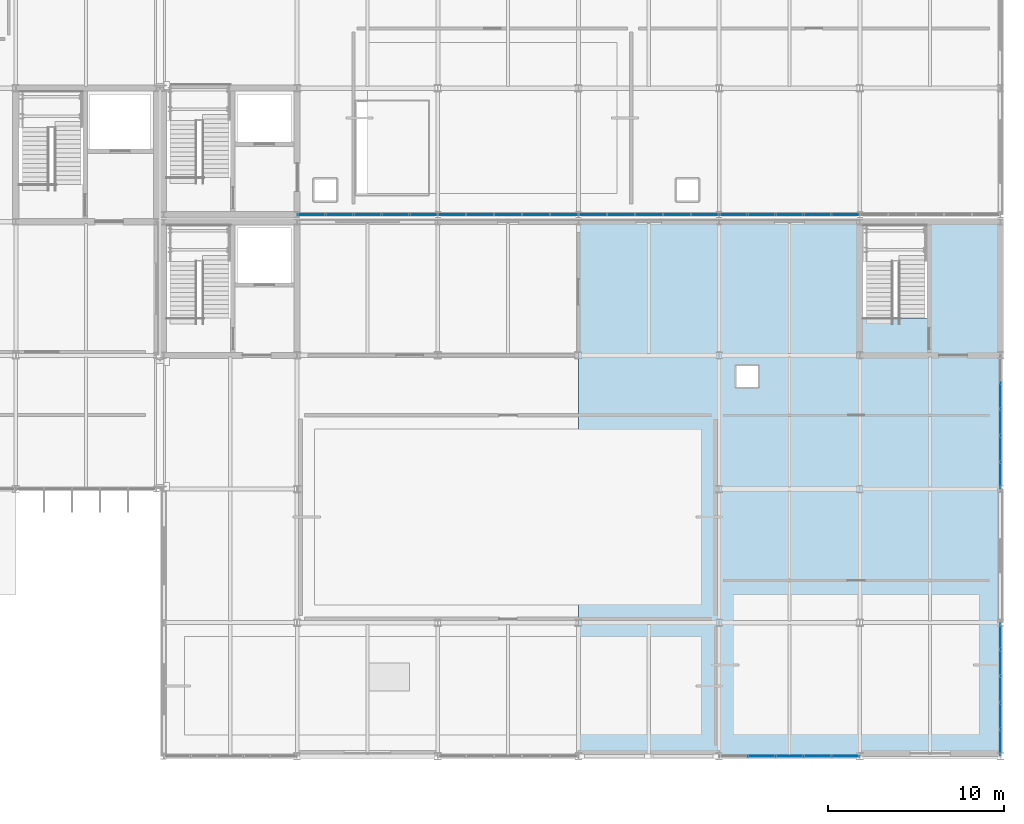
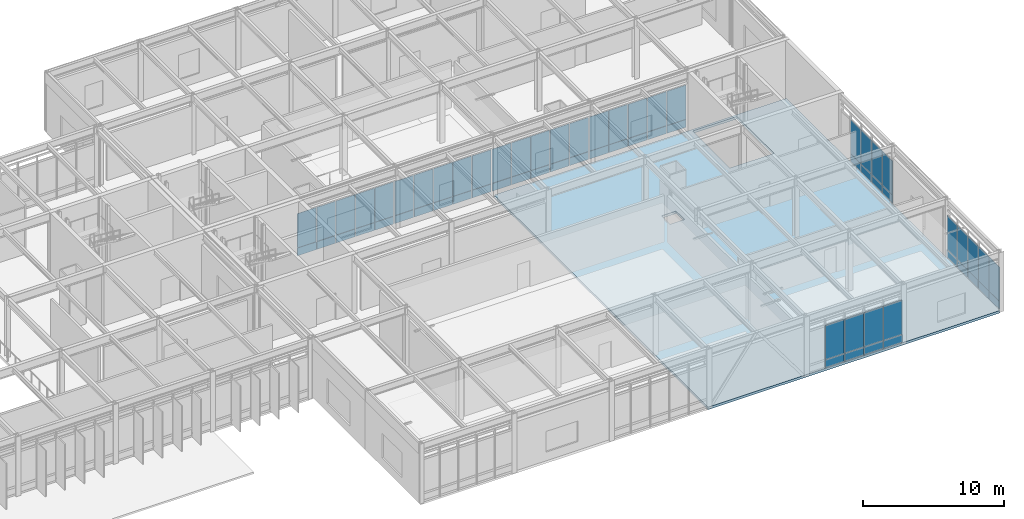
# One storey, part 66 of 94: 66 plates, 1 slab, 7 elements without a shape of their own.
"""IFC4 building model written with IfcOpenShell, lengths in metres."""

from ifc_helpers import new_model, si_unit, direction, frame, origin, origin_2d, place, context, subcontext, project, spatial, polyline, rectangle, outline, extrude, material, layer, layer_set, type_object, element, aggregate, save


model = new_model("IFC4")

# Units and contexts
model_context = context("Model", 3, precision=1e-05, world=origin(), true_north=direction((0.0, 1.0)))
body_context = subcontext(model_context, "Body", "Model", "MODEL_VIEW")
ifc_project = project(units=[si_unit("LENGTHUNIT", "METRE"), si_unit("AREAUNIT", "SQUARE_METRE"), si_unit("VOLUMEUNIT", "CUBIC_METRE"), si_unit("PLANEANGLEUNIT", "RADIAN"), si_unit("MASSUNIT", "GRAM", prefix="KILO")], contexts=[model_context])

# Site, building, storey
site_placement = place(None, origin())
site = spatial("IfcSite", under=ifc_project, at=site_placement, CompositionType="ELEMENT")
building_placement = place(site_placement, origin())
building = spatial("IfcBuilding", under=site, at=building_placement, Name="Zulena Civic Courthouse", CompositionType="ELEMENT")
storey_placement = place(building_placement, frame((0.0, 0.0, 5.39990234375)))
storey = spatial("IfcBuildingStorey", under=building, at=storey_placement, Name="L01", CompositionType="ELEMENT", Elevation=5.39990234375)

# Curtain wall, plates
ifc_material_1 = material(Name="Double-silver low-E laminated solar-control glass", Category="glass")
curtain_wall_type_1 = type_object("IfcCurtainWallType", Name="CW_7552x4280", PredefinedType="USERDEFINED", material=ifc_material_1)
curtain_wall_1_placement = place(storey_placement, origin())
curtain_wall_1 = element("IfcCurtainWall", 1, at=curtain_wall_1_placement, inside=storey, type_object=curtain_wall_type_1, Name="cw:V1:L01:2:1", ObjectType="UNITISED CURTAIN WALL", PredefinedType="USERDEFINED")
ifc_material_2 = material(Name="Ceramic-fritted insulated spandrel glass", Category="glass")
ifc_layer_1 = layer(ifc_material_2, 0.0458984375)
ifc_layer_set_1 = layer_set([ifc_layer_1], Name="Ceramic-fritted insulated spandrel glass")
plate_type_1 = type_object("IfcPlateType", Name="CWPanel_Spandrel_46", PredefinedType="CURTAIN_PANEL", material=ifc_layer_set_1)
plate_1_placement = place(storey_placement, frame((172.0, 20.510498046875, 0.070068359375), z_axis=(0.0, 0.0, 1.0), x_axis=(0.0, -1.0, 0.0)))
plate_1 = element("IfcPlate", 2, at=plate_1_placement, type_object=plate_type_1, Name="cw:V1:L01:2:1:panS:1", PredefinedType="CURTAIN_PANEL", context=body_context, shape_type="SweptSolid", body=[
    extrude(rectangle(XDim=1.4599609375, YDim=0.0458984375, at=origin_2d()), origin(), (0.0, 0.0, 1.0), 0.669921875),
])
plate_2_placement = place(storey_placement, frame((172.0, 19.0, 0.070068359375), z_axis=(0.0, 0.0, 1.0), x_axis=(0.0, -1.0, 0.0)))
plate_2 = element("IfcPlate", 3, at=plate_2_placement, type_object=plate_type_1, Name="cw:V1:L01:2:1:panS:2", PredefinedType="CURTAIN_PANEL", context=body_context, shape_type="SweptSolid", body=[
    extrude(rectangle(XDim=1.4599609375, YDim=0.0458984375, at=origin_2d()), origin(), (0.0, 0.0, 1.0), 0.669921875),
])
plate_3_placement = place(storey_placement, frame((172.0, 17.489501953125, 0.070068359375), z_axis=(0.0, 0.0, 1.0), x_axis=(0.0, -1.0, 0.0)))
plate_3 = element("IfcPlate", 4, at=plate_3_placement, type_object=plate_type_1, Name="cw:V1:L01:2:1:panS:3", PredefinedType="CURTAIN_PANEL", context=body_context, shape_type="SweptSolid", body=[
    extrude(rectangle(XDim=1.4599609375, YDim=0.0458984375, at=origin_2d()), origin(), (0.0, 0.0, 1.0), 0.669921875),
])
plate_4_placement = place(storey_placement, frame((172.0, 15.979248046875, 0.070068359375), z_axis=(0.0, 0.0, 1.0), x_axis=(0.0, -1.0, 0.0)))
plate_4 = element("IfcPlate", 5, at=plate_4_placement, type_object=plate_type_1, Name="cw:V1:L01:2:1:panS:4", PredefinedType="CURTAIN_PANEL", context=body_context, shape_type="SweptSolid", body=[
    extrude(rectangle(XDim=1.4599609375, YDim=0.0458984375, at=origin_2d()), origin(), (0.0, 0.0, 1.0), 0.669921875),
])

curtain_wall_2_placement = place(storey_placement, origin())
curtain_wall_2 = element("IfcCurtainWall", 6, at=curtain_wall_2_placement, inside=storey, type_object=curtain_wall_type_1, Name="cw:V1:L01:2:3", ObjectType="UNITISED CURTAIN WALL", PredefinedType="USERDEFINED")
plate_5_placement = place(storey_placement, frame((172.0, 6.82080078125, 0.070068359375), z_axis=(0.0, 0.0, 1.0), x_axis=(0.0, -1.0, 0.0)))
plate_5 = element("IfcPlate", 7, at=plate_5_placement, type_object=plate_type_1, Name="cw:V1:L01:2:3:panS:0", PredefinedType="CURTAIN_PANEL", context=body_context, shape_type="SweptSolid", body=[
    extrude(rectangle(XDim=1.4599609375, YDim=0.0458984375, at=origin_2d()), origin(), (0.0, 0.0, 1.0), 0.669921875),
])
plate_6_placement = place(storey_placement, frame((172.0, 5.310302734375, 0.070068359375), z_axis=(0.0, 0.0, 1.0), x_axis=(0.0, -1.0, 0.0)))
plate_6 = element("IfcPlate", 8, at=plate_6_placement, type_object=plate_type_1, Name="cw:V1:L01:2:3:panS:1", PredefinedType="CURTAIN_PANEL", context=body_context, shape_type="SweptSolid", body=[
    extrude(rectangle(XDim=1.4599609375, YDim=0.0458984375, at=origin_2d()), origin(), (0.0, 0.0, 1.0), 0.669921875),
])
plate_7_placement = place(storey_placement, frame((172.0, 3.800048828125, 0.070068359375), z_axis=(0.0, 0.0, 1.0), x_axis=(0.0, -1.0, 0.0)))
plate_7 = element("IfcPlate", 9, at=plate_7_placement, type_object=plate_type_1, Name="cw:V1:L01:2:3:panS:2", PredefinedType="CURTAIN_PANEL", context=body_context, shape_type="SweptSolid", body=[
    extrude(rectangle(XDim=1.4599609375, YDim=0.0458984375, at=origin_2d()), origin(), (0.0, 0.0, 1.0), 0.669921875),
])
plate_8_placement = place(storey_placement, frame((172.0, 2.28955078125, 0.070068359375), z_axis=(0.0, 0.0, 1.0), x_axis=(0.0, -1.0, 0.0)))
plate_8 = element("IfcPlate", 10, at=plate_8_placement, type_object=plate_type_1, Name="cw:V1:L01:2:3:panS:3", PredefinedType="CURTAIN_PANEL", context=body_context, shape_type="SweptSolid", body=[
    extrude(rectangle(XDim=1.4599609375, YDim=0.0458984375, at=origin_2d()), origin(), (0.0, 0.0, 1.0), 0.669921875),
])
plate_9_placement = place(storey_placement, frame((172.0, 0.779296875, 0.070068359375), z_axis=(0.0, 0.0, 1.0), x_axis=(0.0, -1.0, 0.0)))
plate_9 = element("IfcPlate", 11, at=plate_9_placement, type_object=plate_type_1, Name="cw:V1:L01:2:3:panS:4", PredefinedType="CURTAIN_PANEL", context=body_context, shape_type="SweptSolid", body=[
    extrude(rectangle(XDim=1.4599609375, YDim=0.0458984375, at=origin_2d()), origin(), (0.0, 0.0, 1.0), 0.669921875),
])

curtain_wall_type_2 = type_object("IfcCurtainWallType", Name="CW_7952x4280", PredefinedType="USERDEFINED", material=ifc_material_1)
curtain_wall_3_placement = place(storey_placement, origin())
curtain_wall_3 = element("IfcCurtainWall", 12, at=curtain_wall_3_placement, inside=storey, type_object=curtain_wall_type_2, Name="cw:V1:L01:3:1", ObjectType="UNITISED CURTAIN WALL", PredefinedType="USERDEFINED")
plate_10_placement = place(storey_placement, frame((163.180908203125, 0.0, 0.070068359375), z_axis=(0.0, 0.0, 1.0), x_axis=(-1.0, 0.0, 0.0)))
plate_10 = element("IfcPlate", 13, at=plate_10_placement, type_object=plate_type_1, Name="cw:V1:L01:3:1:panS:0", PredefinedType="CURTAIN_PANEL", context=body_context, shape_type="SweptSolid", body=[
    extrude(rectangle(XDim=1.5400390625, YDim=0.0458984375, at=origin_2d()), origin(), (0.0, 0.0, 1.0), 0.669921875),
])
plate_11_placement = place(storey_placement, frame((161.59033203125, 0.0, 0.070068359375), z_axis=(0.0, 0.0, 1.0), x_axis=(-1.0, 0.0, 0.0)))
plate_11 = element("IfcPlate", 14, at=plate_11_placement, type_object=plate_type_1, Name="cw:V1:L01:3:1:panS:1", PredefinedType="CURTAIN_PANEL", context=body_context, shape_type="SweptSolid", body=[
    extrude(rectangle(XDim=1.5400390625, YDim=0.0458984375, at=origin_2d()), origin(), (0.0, 0.0, 1.0), 0.669921875),
])
plate_12_placement = place(storey_placement, frame((160.0, 0.0, 0.070068359375), z_axis=(0.0, 0.0, 1.0), x_axis=(-1.0, 0.0, 0.0)))
plate_12 = element("IfcPlate", 15, at=plate_12_placement, type_object=plate_type_1, Name="cw:V1:L01:3:1:panS:2", PredefinedType="CURTAIN_PANEL", context=body_context, shape_type="SweptSolid", body=[
    extrude(rectangle(XDim=1.5400390625, YDim=0.0458984375, at=origin_2d()), origin(), (0.0, 0.0, 1.0), 0.669921875),
])
plate_13_placement = place(storey_placement, frame((158.40966796875, 0.0, 0.070068359375), z_axis=(0.0, 0.0, 1.0), x_axis=(-1.0, 0.0, 0.0)))
plate_13 = element("IfcPlate", 16, at=plate_13_placement, type_object=plate_type_1, Name="cw:V1:L01:3:1:panS:3", PredefinedType="CURTAIN_PANEL", context=body_context, shape_type="SweptSolid", body=[
    extrude(rectangle(XDim=1.5400390625, YDim=0.0458984375, at=origin_2d()), origin(), (0.0, 0.0, 1.0), 0.669921875),
])

curtain_wall_4_placement = place(storey_placement, origin())
curtain_wall_4 = element("IfcCurtainWall", 17, at=curtain_wall_4_placement, inside=storey, type_object=curtain_wall_type_2, Name="cw:V3:L01:3:1", ObjectType="UNITISED CURTAIN WALL", PredefinedType="USERDEFINED")
plate_14_placement = place(storey_placement, frame((163.180908203125, 30.800048828125, 0.070068359375), z_axis=(0.0, 0.0, 1.0), x_axis=(-1.0, 0.0, 0.0)))
plate_14 = element("IfcPlate", 18, at=plate_14_placement, type_object=plate_type_1, Name="cw:V3:L01:3:1:panS:0", PredefinedType="CURTAIN_PANEL", context=body_context, shape_type="SweptSolid", body=[
    extrude(rectangle(XDim=1.5400390625, YDim=0.0458984375, at=origin_2d()), origin(), (0.0, 0.0, 1.0), 0.669921875),
])
plate_15_placement = place(storey_placement, frame((161.59033203125, 30.800048828125, 0.070068359375), z_axis=(0.0, 0.0, 1.0), x_axis=(-1.0, 0.0, 0.0)))
plate_15 = element("IfcPlate", 19, at=plate_15_placement, type_object=plate_type_1, Name="cw:V3:L01:3:1:panS:1", PredefinedType="CURTAIN_PANEL", context=body_context, shape_type="SweptSolid", body=[
    extrude(rectangle(XDim=1.5400390625, YDim=0.0458984375, at=origin_2d()), origin(), (0.0, 0.0, 1.0), 0.669921875),
])
plate_16_placement = place(storey_placement, frame((160.0, 30.800048828125, 0.070068359375), z_axis=(0.0, 0.0, 1.0), x_axis=(-1.0, 0.0, 0.0)))
plate_16 = element("IfcPlate", 20, at=plate_16_placement, type_object=plate_type_1, Name="cw:V3:L01:3:1:panS:2", PredefinedType="CURTAIN_PANEL", context=body_context, shape_type="SweptSolid", body=[
    extrude(rectangle(XDim=1.5400390625, YDim=0.0458984375, at=origin_2d()), origin(), (0.0, 0.0, 1.0), 0.669921875),
])
plate_17_placement = place(storey_placement, frame((158.40966796875, 30.800048828125, 0.070068359375), z_axis=(0.0, 0.0, 1.0), x_axis=(-1.0, 0.0, 0.0)))
plate_17 = element("IfcPlate", 21, at=plate_17_placement, type_object=plate_type_1, Name="cw:V3:L01:3:1:panS:3", PredefinedType="CURTAIN_PANEL", context=body_context, shape_type="SweptSolid", body=[
    extrude(rectangle(XDim=1.5400390625, YDim=0.0458984375, at=origin_2d()), origin(), (0.0, 0.0, 1.0), 0.669921875),
])
plate_18_placement = place(storey_placement, frame((156.819091796875, 30.800048828125, 0.070068359375), z_axis=(0.0, 0.0, 1.0), x_axis=(-1.0, 0.0, 0.0)))
plate_18 = element("IfcPlate", 22, at=plate_18_placement, type_object=plate_type_1, Name="cw:V3:L01:3:1:panS:4", PredefinedType="CURTAIN_PANEL", context=body_context, shape_type="SweptSolid", body=[
    extrude(rectangle(XDim=1.5400390625, YDim=0.0458984375, at=origin_2d()), origin(), (0.0, 0.0, 1.0), 0.669921875),
])

curtain_wall_5_placement = place(storey_placement, origin())
curtain_wall_5 = element("IfcCurtainWall", 23, at=curtain_wall_5_placement, inside=storey, type_object=curtain_wall_type_2, Name="cw:V3:L01:3:2", ObjectType="UNITISED CURTAIN WALL", PredefinedType="USERDEFINED")
plate_19_placement = place(storey_placement, frame((155.180908203125, 30.800048828125, 0.070068359375), z_axis=(0.0, 0.0, 1.0), x_axis=(-1.0, 0.0, 0.0)))
plate_19 = element("IfcPlate", 24, at=plate_19_placement, type_object=plate_type_1, Name="cw:V3:L01:3:2:panS:0", PredefinedType="CURTAIN_PANEL", context=body_context, shape_type="SweptSolid", body=[
    extrude(rectangle(XDim=1.5400390625, YDim=0.0458984375, at=origin_2d()), origin(), (0.0, 0.0, 1.0), 0.669921875),
])
plate_20_placement = place(storey_placement, frame((153.59033203125, 30.800048828125, 0.070068359375), z_axis=(0.0, 0.0, 1.0), x_axis=(-1.0, 0.0, 0.0)))
plate_20 = element("IfcPlate", 25, at=plate_20_placement, type_object=plate_type_1, Name="cw:V3:L01:3:2:panS:1", PredefinedType="CURTAIN_PANEL", context=body_context, shape_type="SweptSolid", body=[
    extrude(rectangle(XDim=1.5400390625, YDim=0.0458984375, at=origin_2d()), origin(), (0.0, 0.0, 1.0), 0.669921875),
])
plate_21_placement = place(storey_placement, frame((152.0, 30.800048828125, 0.070068359375), z_axis=(0.0, 0.0, 1.0), x_axis=(-1.0, 0.0, 0.0)))
plate_21 = element("IfcPlate", 26, at=plate_21_placement, type_object=plate_type_1, Name="cw:V3:L01:3:2:panS:2", PredefinedType="CURTAIN_PANEL", context=body_context, shape_type="SweptSolid", body=[
    extrude(rectangle(XDim=1.5400390625, YDim=0.0458984375, at=origin_2d()), origin(), (0.0, 0.0, 1.0), 0.669921875),
])
plate_22_placement = place(storey_placement, frame((150.40966796875, 30.800048828125, 0.070068359375), z_axis=(0.0, 0.0, 1.0), x_axis=(-1.0, 0.0, 0.0)))
plate_22 = element("IfcPlate", 27, at=plate_22_placement, type_object=plate_type_1, Name="cw:V3:L01:3:2:panS:3", PredefinedType="CURTAIN_PANEL", context=body_context, shape_type="SweptSolid", body=[
    extrude(rectangle(XDim=1.5400390625, YDim=0.0458984375, at=origin_2d()), origin(), (0.0, 0.0, 1.0), 0.669921875),
])
plate_23_placement = place(storey_placement, frame((148.819091796875, 30.800048828125, 0.070068359375), z_axis=(0.0, 0.0, 1.0), x_axis=(-1.0, 0.0, 0.0)))
plate_23 = element("IfcPlate", 28, at=plate_23_placement, type_object=plate_type_1, Name="cw:V3:L01:3:2:panS:4", PredefinedType="CURTAIN_PANEL", context=body_context, shape_type="SweptSolid", body=[
    extrude(rectangle(XDim=1.5400390625, YDim=0.0458984375, at=origin_2d()), origin(), (0.0, 0.0, 1.0), 0.669921875),
])

curtain_wall_6_placement = place(storey_placement, origin())
curtain_wall_6 = element("IfcCurtainWall", 29, at=curtain_wall_6_placement, inside=storey, type_object=curtain_wall_type_2, Name="cw:V3:L01:3:3", ObjectType="UNITISED CURTAIN WALL", PredefinedType="USERDEFINED")
plate_24_placement = place(storey_placement, frame((147.180908203125, 30.800048828125, 0.070068359375), z_axis=(0.0, 0.0, 1.0), x_axis=(-1.0, 0.0, 0.0)))
plate_24 = element("IfcPlate", 30, at=plate_24_placement, type_object=plate_type_1, Name="cw:V3:L01:3:3:panS:0", PredefinedType="CURTAIN_PANEL", context=body_context, shape_type="SweptSolid", body=[
    extrude(rectangle(XDim=1.5400390625, YDim=0.0458984375, at=origin_2d()), origin(), (0.0, 0.0, 1.0), 0.669921875),
])
plate_25_placement = place(storey_placement, frame((145.59033203125, 30.800048828125, 0.070068359375), z_axis=(0.0, 0.0, 1.0), x_axis=(-1.0, 0.0, 0.0)))
plate_25 = element("IfcPlate", 31, at=plate_25_placement, type_object=plate_type_1, Name="cw:V3:L01:3:3:panS:1", PredefinedType="CURTAIN_PANEL", context=body_context, shape_type="SweptSolid", body=[
    extrude(rectangle(XDim=1.5400390625, YDim=0.0458984375, at=origin_2d()), origin(), (0.0, 0.0, 1.0), 0.669921875),
])
plate_26_placement = place(storey_placement, frame((144.0, 30.800048828125, 0.070068359375), z_axis=(0.0, 0.0, 1.0), x_axis=(-1.0, 0.0, 0.0)))
plate_26 = element("IfcPlate", 32, at=plate_26_placement, type_object=plate_type_1, Name="cw:V3:L01:3:3:panS:2", PredefinedType="CURTAIN_PANEL", context=body_context, shape_type="SweptSolid", body=[
    extrude(rectangle(XDim=1.5400390625, YDim=0.0458984375, at=origin_2d()), origin(), (0.0, 0.0, 1.0), 0.669921875),
])
plate_27_placement = place(storey_placement, frame((142.40966796875, 30.800048828125, 0.070068359375), z_axis=(0.0, 0.0, 1.0), x_axis=(-1.0, 0.0, 0.0)))
plate_27 = element("IfcPlate", 33, at=plate_27_placement, type_object=plate_type_1, Name="cw:V3:L01:3:3:panS:3", PredefinedType="CURTAIN_PANEL", context=body_context, shape_type="SweptSolid", body=[
    extrude(rectangle(XDim=1.5400390625, YDim=0.0458984375, at=origin_2d()), origin(), (0.0, 0.0, 1.0), 0.669921875),
])
plate_28_placement = place(storey_placement, frame((140.819091796875, 30.800048828125, 0.070068359375), z_axis=(0.0, 0.0, 1.0), x_axis=(-1.0, 0.0, 0.0)))
plate_28 = element("IfcPlate", 34, at=plate_28_placement, type_object=plate_type_1, Name="cw:V3:L01:3:3:panS:4", PredefinedType="CURTAIN_PANEL", context=body_context, shape_type="SweptSolid", body=[
    extrude(rectangle(XDim=1.5400390625, YDim=0.0458984375, at=origin_2d()), origin(), (0.0, 0.0, 1.0), 0.669921875),
])

curtain_wall_7_placement = place(storey_placement, origin())
curtain_wall_7 = element("IfcCurtainWall", 35, at=curtain_wall_7_placement, inside=storey, type_object=curtain_wall_type_2, Name="cw:V3:L01:3:4", ObjectType="UNITISED CURTAIN WALL", PredefinedType="USERDEFINED")
plate_29_placement = place(storey_placement, frame((139.180908203125, 30.800048828125, 0.070068359375), z_axis=(0.0, 0.0, 1.0), x_axis=(-1.0, 0.0, 0.0)))
plate_29 = element("IfcPlate", 36, at=plate_29_placement, type_object=plate_type_1, Name="cw:V3:L01:3:4:panS:0", PredefinedType="CURTAIN_PANEL", context=body_context, shape_type="SweptSolid", body=[
    extrude(rectangle(XDim=1.5400390625, YDim=0.0458984375, at=origin_2d()), origin(), (0.0, 0.0, 1.0), 0.669921875),
])
plate_30_placement = place(storey_placement, frame((137.59033203125, 30.800048828125, 0.070068359375), z_axis=(0.0, 0.0, 1.0), x_axis=(-1.0, 0.0, 0.0)))
plate_30 = element("IfcPlate", 37, at=plate_30_placement, type_object=plate_type_1, Name="cw:V3:L01:3:4:panS:1", PredefinedType="CURTAIN_PANEL", context=body_context, shape_type="SweptSolid", body=[
    extrude(rectangle(XDim=1.5400390625, YDim=0.0458984375, at=origin_2d()), origin(), (0.0, 0.0, 1.0), 0.669921875),
])
plate_31_placement = place(storey_placement, frame((136.0, 30.800048828125, 0.070068359375), z_axis=(0.0, 0.0, 1.0), x_axis=(-1.0, 0.0, 0.0)))
plate_31 = element("IfcPlate", 38, at=plate_31_placement, type_object=plate_type_1, Name="cw:V3:L01:3:4:panS:2", PredefinedType="CURTAIN_PANEL", context=body_context, shape_type="SweptSolid", body=[
    extrude(rectangle(XDim=1.5400390625, YDim=0.0458984375, at=origin_2d()), origin(), (0.0, 0.0, 1.0), 0.669921875),
])
plate_32_placement = place(storey_placement, frame((134.40966796875, 30.800048828125, 0.070068359375), z_axis=(0.0, 0.0, 1.0), x_axis=(-1.0, 0.0, 0.0)))
plate_32 = element("IfcPlate", 39, at=plate_32_placement, type_object=plate_type_1, Name="cw:V3:L01:3:4:panS:3", PredefinedType="CURTAIN_PANEL", context=body_context, shape_type="SweptSolid", body=[
    extrude(rectangle(XDim=1.5400390625, YDim=0.0458984375, at=origin_2d()), origin(), (0.0, 0.0, 1.0), 0.669921875),
])
plate_33_placement = place(storey_placement, frame((132.819091796875, 30.800048828125, 0.070068359375), z_axis=(0.0, 0.0, 1.0), x_axis=(-1.0, 0.0, 0.0)))
plate_33 = element("IfcPlate", 40, at=plate_33_placement, type_object=plate_type_1, Name="cw:V3:L01:3:4:panS:4", PredefinedType="CURTAIN_PANEL", context=body_context, shape_type="SweptSolid", body=[
    extrude(rectangle(XDim=1.5400390625, YDim=0.0458984375, at=origin_2d()), origin(), (0.0, 0.0, 1.0), 0.669921875),
])

# Plate
ifc_layer_2 = layer(ifc_material_1, 0.035888671875)
ifc_layer_set_2 = layer_set([ifc_layer_2], Name="Double-silver low-E laminated solar-control glass")
plate_type_2 = type_object("IfcPlateType", Name="CWPanel_Vision_36", PredefinedType="CURTAIN_PANEL", material=ifc_layer_set_2)
plate_34_placement = place(storey_placement, frame((172.0, 20.510498046875, 0.760009765625), z_axis=(0.0, 0.0, 1.0), x_axis=(0.0, -1.0, 0.0)))
plate_34 = element("IfcPlate", 41, at=plate_34_placement, type_object=plate_type_2, Name="cw:V1:L01:2:1:panV:1", PredefinedType="CURTAIN_PANEL", context=body_context, shape_type="SweptSolid", body=[
    extrude(rectangle(XDim=1.4599609375, YDim=0.035888671875, at=origin_2d()), origin(), (0.0, 0.0, 1.0), 2.9599609375),
])

plate_35_placement = place(storey_placement, frame((172.0, 19.0, 0.760009765625), z_axis=(0.0, 0.0, 1.0), x_axis=(0.0, -1.0, 0.0)))
plate_35 = element("IfcPlate", 42, at=plate_35_placement, type_object=plate_type_2, Name="cw:V1:L01:2:1:panV:2", PredefinedType="CURTAIN_PANEL", context=body_context, shape_type="SweptSolid", body=[
    extrude(rectangle(XDim=1.4599609375, YDim=0.035888671875, at=origin_2d()), origin(), (0.0, 0.0, 1.0), 2.9599609375),
])

plate_36_placement = place(storey_placement, frame((172.0, 17.489501953125, 0.760009765625), z_axis=(0.0, 0.0, 1.0), x_axis=(0.0, -1.0, 0.0)))
plate_36 = element("IfcPlate", 43, at=plate_36_placement, type_object=plate_type_2, Name="cw:V1:L01:2:1:panV:3", PredefinedType="CURTAIN_PANEL", context=body_context, shape_type="SweptSolid", body=[
    extrude(rectangle(XDim=1.4599609375, YDim=0.035888671875, at=origin_2d()), origin(), (0.0, 0.0, 1.0), 2.9599609375),
])

plate_37_placement = place(storey_placement, frame((172.0, 15.979248046875, 0.760009765625), z_axis=(0.0, 0.0, 1.0), x_axis=(0.0, -1.0, 0.0)))
plate_37 = element("IfcPlate", 44, at=plate_37_placement, type_object=plate_type_2, Name="cw:V1:L01:2:1:panV:4", PredefinedType="CURTAIN_PANEL", context=body_context, shape_type="SweptSolid", body=[
    extrude(rectangle(XDim=1.4599609375, YDim=0.035888671875, at=origin_2d()), origin(), (0.0, 0.0, 1.0), 2.9599609375),
])

aggregate(curtain_wall_1, [plate_34, plate_1, plate_35, plate_2, plate_36, plate_3, plate_37, plate_4])

plate_38_placement = place(storey_placement, frame((172.0, 6.82080078125, 0.760009765625), z_axis=(0.0, 0.0, 1.0), x_axis=(0.0, -1.0, 0.0)))
plate_38 = element("IfcPlate", 45, at=plate_38_placement, type_object=plate_type_2, Name="cw:V1:L01:2:3:panV:0", PredefinedType="CURTAIN_PANEL", context=body_context, shape_type="SweptSolid", body=[
    extrude(rectangle(XDim=1.4599609375, YDim=0.035888671875, at=origin_2d()), origin(), (0.0, 0.0, 1.0), 2.9599609375),
])

plate_39_placement = place(storey_placement, frame((172.0, 5.310302734375, 0.760009765625), z_axis=(0.0, 0.0, 1.0), x_axis=(0.0, -1.0, 0.0)))
plate_39 = element("IfcPlate", 46, at=plate_39_placement, type_object=plate_type_2, Name="cw:V1:L01:2:3:panV:1", PredefinedType="CURTAIN_PANEL", context=body_context, shape_type="SweptSolid", body=[
    extrude(rectangle(XDim=1.4599609375, YDim=0.035888671875, at=origin_2d()), origin(), (0.0, 0.0, 1.0), 2.9599609375),
])

plate_40_placement = place(storey_placement, frame((172.0, 3.800048828125, 0.760009765625), z_axis=(0.0, 0.0, 1.0), x_axis=(0.0, -1.0, 0.0)))
plate_40 = element("IfcPlate", 47, at=plate_40_placement, type_object=plate_type_2, Name="cw:V1:L01:2:3:panV:2", PredefinedType="CURTAIN_PANEL", context=body_context, shape_type="SweptSolid", body=[
    extrude(rectangle(XDim=1.4599609375, YDim=0.035888671875, at=origin_2d()), origin(), (0.0, 0.0, 1.0), 2.9599609375),
])

plate_41_placement = place(storey_placement, frame((172.0, 2.28955078125, 0.760009765625), z_axis=(0.0, 0.0, 1.0), x_axis=(0.0, -1.0, 0.0)))
plate_41 = element("IfcPlate", 48, at=plate_41_placement, type_object=plate_type_2, Name="cw:V1:L01:2:3:panV:3", PredefinedType="CURTAIN_PANEL", context=body_context, shape_type="SweptSolid", body=[
    extrude(rectangle(XDim=1.4599609375, YDim=0.035888671875, at=origin_2d()), origin(), (0.0, 0.0, 1.0), 2.9599609375),
])

plate_42_placement = place(storey_placement, frame((172.0, 0.779296875, 0.760009765625), z_axis=(0.0, 0.0, 1.0), x_axis=(0.0, -1.0, 0.0)))
plate_42 = element("IfcPlate", 49, at=plate_42_placement, type_object=plate_type_2, Name="cw:V1:L01:2:3:panV:4", PredefinedType="CURTAIN_PANEL", context=body_context, shape_type="SweptSolid", body=[
    extrude(rectangle(XDim=1.4599609375, YDim=0.035888671875, at=origin_2d()), origin(), (0.0, 0.0, 1.0), 2.9599609375),
])

aggregate(curtain_wall_2, [plate_38, plate_5, plate_39, plate_6, plate_40, plate_7, plate_41, plate_8, plate_42, plate_9])

plate_43_placement = place(storey_placement, frame((163.180908203125, 0.0, 0.760009765625), z_axis=(0.0, 0.0, 1.0), x_axis=(-1.0, 0.0, 0.0)))
plate_43 = element("IfcPlate", 50, at=plate_43_placement, type_object=plate_type_2, Name="cw:V1:L01:3:1:panV:0", PredefinedType="CURTAIN_PANEL", context=body_context, shape_type="SweptSolid", body=[
    extrude(rectangle(XDim=1.5400390625, YDim=0.035888671875, at=origin_2d()), origin(), (0.0, 0.0, 1.0), 2.9599609375),
])

plate_44_placement = place(storey_placement, frame((161.59033203125, 0.0, 0.760009765625), z_axis=(0.0, 0.0, 1.0), x_axis=(-1.0, 0.0, 0.0)))
plate_44 = element("IfcPlate", 51, at=plate_44_placement, type_object=plate_type_2, Name="cw:V1:L01:3:1:panV:1", PredefinedType="CURTAIN_PANEL", context=body_context, shape_type="SweptSolid", body=[
    extrude(rectangle(XDim=1.5400390625, YDim=0.035888671875, at=origin_2d()), origin(), (0.0, 0.0, 1.0), 2.9599609375),
])

plate_45_placement = place(storey_placement, frame((160.0, 0.0, 0.760009765625), z_axis=(0.0, 0.0, 1.0), x_axis=(-1.0, 0.0, 0.0)))
plate_45 = element("IfcPlate", 52, at=plate_45_placement, type_object=plate_type_2, Name="cw:V1:L01:3:1:panV:2", PredefinedType="CURTAIN_PANEL", context=body_context, shape_type="SweptSolid", body=[
    extrude(rectangle(XDim=1.5400390625, YDim=0.035888671875, at=origin_2d()), origin(), (0.0, 0.0, 1.0), 2.9599609375),
])

plate_46_placement = place(storey_placement, frame((158.40966796875, 0.0, 0.760009765625), z_axis=(0.0, 0.0, 1.0), x_axis=(-1.0, 0.0, 0.0)))
plate_46 = element("IfcPlate", 53, at=plate_46_placement, type_object=plate_type_2, Name="cw:V1:L01:3:1:panV:3", PredefinedType="CURTAIN_PANEL", context=body_context, shape_type="SweptSolid", body=[
    extrude(rectangle(XDim=1.5400390625, YDim=0.035888671875, at=origin_2d()), origin(), (0.0, 0.0, 1.0), 2.9599609375),
])

aggregate(curtain_wall_3, [plate_43, plate_10, plate_44, plate_11, plate_45, plate_12, plate_46, plate_13])

plate_47_placement = place(storey_placement, frame((163.180908203125, 30.800048828125, 0.760009765625), z_axis=(0.0, 0.0, 1.0), x_axis=(-1.0, 0.0, 0.0)))
plate_47 = element("IfcPlate", 54, at=plate_47_placement, type_object=plate_type_2, Name="cw:V3:L01:3:1:panV:0", PredefinedType="CURTAIN_PANEL", context=body_context, shape_type="SweptSolid", body=[
    extrude(rectangle(XDim=1.5400390625, YDim=0.035888671875, at=origin_2d()), origin(), (0.0, 0.0, 1.0), 2.9599609375),
])

plate_48_placement = place(storey_placement, frame((161.59033203125, 30.800048828125, 0.760009765625), z_axis=(0.0, 0.0, 1.0), x_axis=(-1.0, 0.0, 0.0)))
plate_48 = element("IfcPlate", 55, at=plate_48_placement, type_object=plate_type_2, Name="cw:V3:L01:3:1:panV:1", PredefinedType="CURTAIN_PANEL", context=body_context, shape_type="SweptSolid", body=[
    extrude(rectangle(XDim=1.5400390625, YDim=0.035888671875, at=origin_2d()), origin(), (0.0, 0.0, 1.0), 2.9599609375),
])

plate_49_placement = place(storey_placement, frame((160.0, 30.800048828125, 0.760009765625), z_axis=(0.0, 0.0, 1.0), x_axis=(-1.0, 0.0, 0.0)))
plate_49 = element("IfcPlate", 56, at=plate_49_placement, type_object=plate_type_2, Name="cw:V3:L01:3:1:panV:2", PredefinedType="CURTAIN_PANEL", context=body_context, shape_type="SweptSolid", body=[
    extrude(rectangle(XDim=1.5400390625, YDim=0.035888671875, at=origin_2d()), origin(), (0.0, 0.0, 1.0), 2.9599609375),
])

plate_50_placement = place(storey_placement, frame((158.40966796875, 30.800048828125, 0.760009765625), z_axis=(0.0, 0.0, 1.0), x_axis=(-1.0, 0.0, 0.0)))
plate_50 = element("IfcPlate", 57, at=plate_50_placement, type_object=plate_type_2, Name="cw:V3:L01:3:1:panV:3", PredefinedType="CURTAIN_PANEL", context=body_context, shape_type="SweptSolid", body=[
    extrude(rectangle(XDim=1.5400390625, YDim=0.035888671875, at=origin_2d()), origin(), (0.0, 0.0, 1.0), 2.9599609375),
])

plate_51_placement = place(storey_placement, frame((156.819091796875, 30.800048828125, 0.760009765625), z_axis=(0.0, 0.0, 1.0), x_axis=(-1.0, 0.0, 0.0)))
plate_51 = element("IfcPlate", 58, at=plate_51_placement, type_object=plate_type_2, Name="cw:V3:L01:3:1:panV:4", PredefinedType="CURTAIN_PANEL", context=body_context, shape_type="SweptSolid", body=[
    extrude(rectangle(XDim=1.5400390625, YDim=0.035888671875, at=origin_2d()), origin(), (0.0, 0.0, 1.0), 2.9599609375),
])

aggregate(curtain_wall_4, [plate_47, plate_14, plate_48, plate_15, plate_49, plate_16, plate_50, plate_17, plate_51, plate_18])

plate_52_placement = place(storey_placement, frame((155.180908203125, 30.800048828125, 0.760009765625), z_axis=(0.0, 0.0, 1.0), x_axis=(-1.0, 0.0, 0.0)))
plate_52 = element("IfcPlate", 59, at=plate_52_placement, type_object=plate_type_2, Name="cw:V3:L01:3:2:panV:0", PredefinedType="CURTAIN_PANEL", context=body_context, shape_type="SweptSolid", body=[
    extrude(rectangle(XDim=1.5400390625, YDim=0.035888671875, at=origin_2d()), origin(), (0.0, 0.0, 1.0), 2.9599609375),
])

plate_53_placement = place(storey_placement, frame((153.59033203125, 30.800048828125, 0.760009765625), z_axis=(0.0, 0.0, 1.0), x_axis=(-1.0, 0.0, 0.0)))
plate_53 = element("IfcPlate", 60, at=plate_53_placement, type_object=plate_type_2, Name="cw:V3:L01:3:2:panV:1", PredefinedType="CURTAIN_PANEL", context=body_context, shape_type="SweptSolid", body=[
    extrude(rectangle(XDim=1.5400390625, YDim=0.035888671875, at=origin_2d()), origin(), (0.0, 0.0, 1.0), 2.9599609375),
])

plate_54_placement = place(storey_placement, frame((152.0, 30.800048828125, 0.760009765625), z_axis=(0.0, 0.0, 1.0), x_axis=(-1.0, 0.0, 0.0)))
plate_54 = element("IfcPlate", 61, at=plate_54_placement, type_object=plate_type_2, Name="cw:V3:L01:3:2:panV:2", PredefinedType="CURTAIN_PANEL", context=body_context, shape_type="SweptSolid", body=[
    extrude(rectangle(XDim=1.5400390625, YDim=0.035888671875, at=origin_2d()), origin(), (0.0, 0.0, 1.0), 2.9599609375),
])

plate_55_placement = place(storey_placement, frame((150.40966796875, 30.800048828125, 0.760009765625), z_axis=(0.0, 0.0, 1.0), x_axis=(-1.0, 0.0, 0.0)))
plate_55 = element("IfcPlate", 62, at=plate_55_placement, type_object=plate_type_2, Name="cw:V3:L01:3:2:panV:3", PredefinedType="CURTAIN_PANEL", context=body_context, shape_type="SweptSolid", body=[
    extrude(rectangle(XDim=1.5400390625, YDim=0.035888671875, at=origin_2d()), origin(), (0.0, 0.0, 1.0), 2.9599609375),
])

plate_56_placement = place(storey_placement, frame((148.819091796875, 30.800048828125, 0.760009765625), z_axis=(0.0, 0.0, 1.0), x_axis=(-1.0, 0.0, 0.0)))
plate_56 = element("IfcPlate", 63, at=plate_56_placement, type_object=plate_type_2, Name="cw:V3:L01:3:2:panV:4", PredefinedType="CURTAIN_PANEL", context=body_context, shape_type="SweptSolid", body=[
    extrude(rectangle(XDim=1.5400390625, YDim=0.035888671875, at=origin_2d()), origin(), (0.0, 0.0, 1.0), 2.9599609375),
])

aggregate(curtain_wall_5, [plate_52, plate_19, plate_53, plate_20, plate_54, plate_21, plate_55, plate_22, plate_56, plate_23])

plate_57_placement = place(storey_placement, frame((147.180908203125, 30.800048828125, 0.760009765625), z_axis=(0.0, 0.0, 1.0), x_axis=(-1.0, 0.0, 0.0)))
plate_57 = element("IfcPlate", 64, at=plate_57_placement, type_object=plate_type_2, Name="cw:V3:L01:3:3:panV:0", PredefinedType="CURTAIN_PANEL", context=body_context, shape_type="SweptSolid", body=[
    extrude(rectangle(XDim=1.5400390625, YDim=0.035888671875, at=origin_2d()), origin(), (0.0, 0.0, 1.0), 2.9599609375),
])

plate_58_placement = place(storey_placement, frame((145.59033203125, 30.800048828125, 0.760009765625), z_axis=(0.0, 0.0, 1.0), x_axis=(-1.0, 0.0, 0.0)))
plate_58 = element("IfcPlate", 65, at=plate_58_placement, type_object=plate_type_2, Name="cw:V3:L01:3:3:panV:1", PredefinedType="CURTAIN_PANEL", context=body_context, shape_type="SweptSolid", body=[
    extrude(rectangle(XDim=1.5400390625, YDim=0.035888671875, at=origin_2d()), origin(), (0.0, 0.0, 1.0), 2.9599609375),
])

plate_59_placement = place(storey_placement, frame((144.0, 30.800048828125, 0.760009765625), z_axis=(0.0, 0.0, 1.0), x_axis=(-1.0, 0.0, 0.0)))
plate_59 = element("IfcPlate", 66, at=plate_59_placement, type_object=plate_type_2, Name="cw:V3:L01:3:3:panV:2", PredefinedType="CURTAIN_PANEL", context=body_context, shape_type="SweptSolid", body=[
    extrude(rectangle(XDim=1.5400390625, YDim=0.035888671875, at=origin_2d()), origin(), (0.0, 0.0, 1.0), 2.9599609375),
])

plate_60_placement = place(storey_placement, frame((142.40966796875, 30.800048828125, 0.760009765625), z_axis=(0.0, 0.0, 1.0), x_axis=(-1.0, 0.0, 0.0)))
plate_60 = element("IfcPlate", 67, at=plate_60_placement, type_object=plate_type_2, Name="cw:V3:L01:3:3:panV:3", PredefinedType="CURTAIN_PANEL", context=body_context, shape_type="SweptSolid", body=[
    extrude(rectangle(XDim=1.5400390625, YDim=0.035888671875, at=origin_2d()), origin(), (0.0, 0.0, 1.0), 2.9599609375),
])

plate_61_placement = place(storey_placement, frame((140.819091796875, 30.800048828125, 0.760009765625), z_axis=(0.0, 0.0, 1.0), x_axis=(-1.0, 0.0, 0.0)))
plate_61 = element("IfcPlate", 68, at=plate_61_placement, type_object=plate_type_2, Name="cw:V3:L01:3:3:panV:4", PredefinedType="CURTAIN_PANEL", context=body_context, shape_type="SweptSolid", body=[
    extrude(rectangle(XDim=1.5400390625, YDim=0.035888671875, at=origin_2d()), origin(), (0.0, 0.0, 1.0), 2.9599609375),
])

aggregate(curtain_wall_6, [plate_57, plate_24, plate_58, plate_25, plate_59, plate_26, plate_60, plate_27, plate_61, plate_28])

plate_62_placement = place(storey_placement, frame((139.180908203125, 30.800048828125, 0.760009765625), z_axis=(0.0, 0.0, 1.0), x_axis=(-1.0, 0.0, 0.0)))
plate_62 = element("IfcPlate", 69, at=plate_62_placement, type_object=plate_type_2, Name="cw:V3:L01:3:4:panV:0", PredefinedType="CURTAIN_PANEL", context=body_context, shape_type="SweptSolid", body=[
    extrude(rectangle(XDim=1.5400390625, YDim=0.035888671875, at=origin_2d()), origin(), (0.0, 0.0, 1.0), 2.9599609375),
])

plate_63_placement = place(storey_placement, frame((137.59033203125, 30.800048828125, 0.760009765625), z_axis=(0.0, 0.0, 1.0), x_axis=(-1.0, 0.0, 0.0)))
plate_63 = element("IfcPlate", 70, at=plate_63_placement, type_object=plate_type_2, Name="cw:V3:L01:3:4:panV:1", PredefinedType="CURTAIN_PANEL", context=body_context, shape_type="SweptSolid", body=[
    extrude(rectangle(XDim=1.5400390625, YDim=0.035888671875, at=origin_2d()), origin(), (0.0, 0.0, 1.0), 2.9599609375),
])

plate_64_placement = place(storey_placement, frame((136.0, 30.800048828125, 0.760009765625), z_axis=(0.0, 0.0, 1.0), x_axis=(-1.0, 0.0, 0.0)))
plate_64 = element("IfcPlate", 71, at=plate_64_placement, type_object=plate_type_2, Name="cw:V3:L01:3:4:panV:2", PredefinedType="CURTAIN_PANEL", context=body_context, shape_type="SweptSolid", body=[
    extrude(rectangle(XDim=1.5400390625, YDim=0.035888671875, at=origin_2d()), origin(), (0.0, 0.0, 1.0), 2.9599609375),
])

plate_65_placement = place(storey_placement, frame((134.40966796875, 30.800048828125, 0.760009765625), z_axis=(0.0, 0.0, 1.0), x_axis=(-1.0, 0.0, 0.0)))
plate_65 = element("IfcPlate", 72, at=plate_65_placement, type_object=plate_type_2, Name="cw:V3:L01:3:4:panV:3", PredefinedType="CURTAIN_PANEL", context=body_context, shape_type="SweptSolid", body=[
    extrude(rectangle(XDim=1.5400390625, YDim=0.035888671875, at=origin_2d()), origin(), (0.0, 0.0, 1.0), 2.9599609375),
])

plate_66_placement = place(storey_placement, frame((132.819091796875, 30.800048828125, 0.760009765625), z_axis=(0.0, 0.0, 1.0), x_axis=(-1.0, 0.0, 0.0)))
plate_66 = element("IfcPlate", 73, at=plate_66_placement, type_object=plate_type_2, Name="cw:V3:L01:3:4:panV:4", PredefinedType="CURTAIN_PANEL", context=body_context, shape_type="SweptSolid", body=[
    extrude(rectangle(XDim=1.5400390625, YDim=0.035888671875, at=origin_2d()), origin(), (0.0, 0.0, 1.0), 2.9599609375),
])

aggregate(curtain_wall_7, [plate_62, plate_29, plate_63, plate_30, plate_64, plate_31, plate_65, plate_32, plate_66, plate_33])

# Slab
ifc_material_3 = material(Name="Concrete C35/45", Category="concrete")
ifc_layer_3 = layer(ifc_material_3, 0.215087890625)
ifc_layer_set_3 = layer_set([ifc_layer_3], Name="Concrete C35/45")
slab_type = type_object("IfcSlabType", Name="FloorSlab_215", PredefinedType="FLOOR", material=ifc_layer_set_3)
slab_placement = place(storey_placement, frame((0.0, 0.0, -0.21484375)))
element("IfcSlab", 74, at=slab_placement, inside=storey, type_object=slab_type, Name="slab:V1:L01_2", PredefinedType="FLOOR", context=body_context, shape_type="SweptSolid", body=[
    extrude(outline(polyline([(172.0, 30.39990234375), (172.0, 0.0), (148.0, 0.0), (148.0, 30.39990234375), (172.0, 30.39990234375)]), holes=[polyline([(164.18994140625, 30.2099609375), (164.18994140625, 24.919921875), (167.81005859375, 24.919921875), (167.81005859375, 30.2099609375), (164.18994140625, 30.2099609375)]), polyline([(158.199951171875, 22.199951171875), (157.0, 22.199951171875), (157.0, 21.0), (158.199951171875, 21.0), (158.199951171875, 22.199951171875)])]), origin(), (0.0, 0.0, 1.0), 0.21484375),
])

save(model, "model.ifc")
